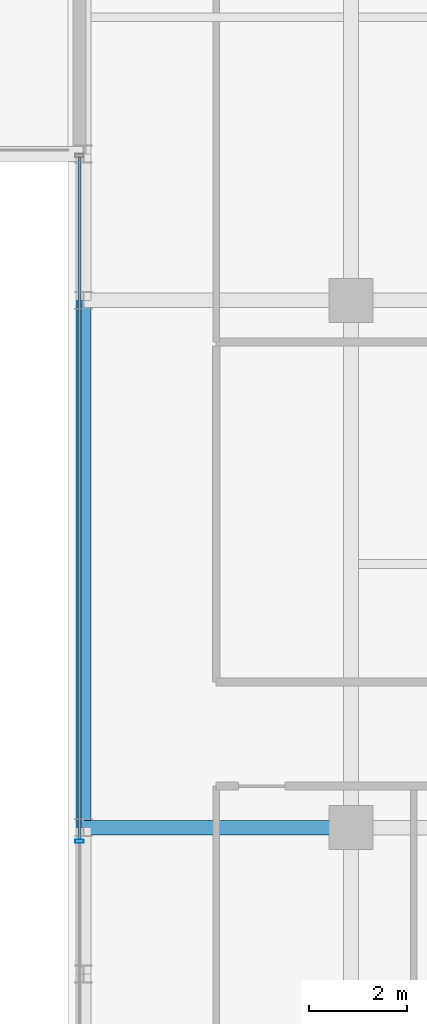
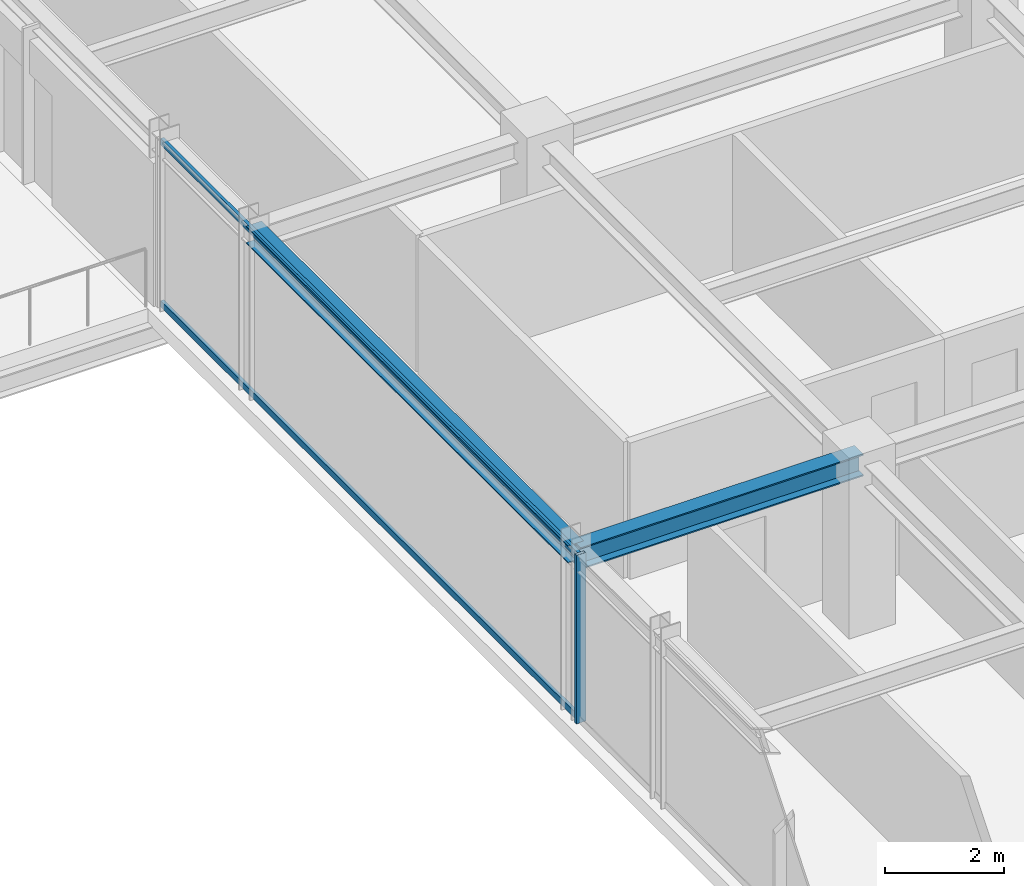
# One storey, part 8 of 36: 3 members, 2 beams, 1 element without a shape of its own.
"""IFC4 building model written with IfcOpenShell, lengths in metres."""

from ifc_helpers import new_model, si_unit, direction, frame, origin, origin_2d, place, context, subcontext, project, spatial, hollow_rectangle, i_section, extrude, source, transform, mapped, material, material_profile, profile_set, type_object, element, aggregate, save


model = new_model("IFC4")

# Units and contexts
model_context = context("Model", 3, precision=1e-05, world=origin(), true_north=direction((0.0, 1.0)))
body_context = subcontext(model_context, "Body", "Model", "MODEL_VIEW")
ifc_project = project(units=[si_unit("LENGTHUNIT", "METRE"), si_unit("AREAUNIT", "SQUARE_METRE"), si_unit("VOLUMEUNIT", "CUBIC_METRE"), si_unit("PLANEANGLEUNIT", "RADIAN"), si_unit("MASSUNIT", "GRAM", prefix="KILO")], contexts=[model_context])

# Site, building, storey
site_placement = place(None, origin())
site = spatial("IfcSite", under=ifc_project, at=site_placement, CompositionType="ELEMENT")
building_placement = place(site_placement, origin())
building = spatial("IfcBuilding", under=site, at=building_placement, Name="Nahalor Promenade Grand Hotel", CompositionType="ELEMENT")
storey_placement = place(building_placement, frame((0.0, 0.0, 273.800048828125)))
storey = spatial("IfcBuildingStorey", under=building, at=storey_placement, Name="L70", CompositionType="ELEMENT", Elevation=273.800048828125)

# Beams
ifc_material_1 = material(Name="Steel S355JR", Category="steel")
ifc_material_profile_1 = material_profile(ifc_material_1, i_section(OverallWidth=0.3, OverallDepth=0.45, WebThickness=0.014, FlangeThickness=0.026, at=origin_2d()), Name="HEB 450")
ifc_profile_set_1 = profile_set([ifc_material_profile_1], Name="Steel S355JR")
beam_type_1 = type_object("IfcBeamType", Name="Beam-Girder-HEB450", PredefinedType="BEAM", material=ifc_profile_set_1)
shared_shape_1 = source(origin(), body_context, "Body", "SweptSolid", [
    extrude(i_section(OverallWidth=0.3, OverallDepth=0.45, WebThickness=0.014, FlangeThickness=0.026, at=origin_2d()), origin(), (0.0, 0.0, 1.0), 5.47998046875),
])
beam_1_placement = place(storey_placement, frame((-22.47998046875, -5.39990234375, 3.224853515625), z_axis=(1.0, 0.0, 0.0), x_axis=(0.0, 1.0, 0.0)))
element("IfcBeam", 1, at=beam_1_placement, inside=storey, type_object=beam_type_1, Name="BM-L70-GX-1-0", PredefinedType="BEAM", context=body_context, shape_type="MappedRepresentation", body=[
    mapped(shared_shape_1, transform((0.0, 0.0, 0.0), scale=1.0)),
])
ifc_material_profile_2 = material_profile(ifc_material_1, i_section(OverallWidth=0.3, OverallDepth=0.36, WebThickness=0.0125, FlangeThickness=0.0225, at=origin_2d()), Name="HEB 360")
ifc_profile_set_2 = profile_set([ifc_material_profile_2], Name="Steel S355JR")
beam_type_2 = type_object("IfcBeamType", Name="Beam-Spandrel-HEB360", PredefinedType="SPANDREL", material=ifc_profile_set_2)
shared_shape_2 = source(origin(), body_context, "Body", "SweptSolid", [
    extrude(i_section(OverallWidth=0.3, OverallDepth=0.36, WebThickness=0.0125, FlangeThickness=0.0225, at=origin_2d()), origin(), (0.0, 0.0, 1.0), 10.7998046875),
])
beam_2_placement = place(storey_placement, frame((-22.47998046875, -5.39990234375, 3.27001953125), z_axis=(0.0, 1.0, 0.0), x_axis=(-1.0, 0.0, 0.0)))
element("IfcBeam", 2, at=beam_2_placement, inside=storey, type_object=beam_type_2, Name="BM-L70-SP-W-2", PredefinedType="SPANDREL", context=body_context, shape_type="MappedRepresentation", body=[
    mapped(shared_shape_2, transform((0.0, 0.0, 0.0), scale=1.0)),
])

# Curtain wall, members
ifc_material_2 = material(Name="Anodised Bronze Aluminium EN AW-6063 T6", Category="aluminium")
curtain_wall_type = type_object("IfcCurtainWallType", Name="CW2 Typical Hotel Flush Bronze Unitised Curtain Wall", PredefinedType="USERDEFINED", material=ifc_material_2)
curtain_wall_placement = place(storey_placement, origin())
curtain_wall = element("IfcCurtainWall", 3, at=curtain_wall_placement, inside=storey, type_object=curtain_wall_type, Name="L70 Curtain Wall CW-L70-W-1", ObjectType="UNITISED_CURTAIN_WALL", PredefinedType="USERDEFINED")
ifc_material_profile_3 = material_profile(ifc_material_2, hollow_rectangle(XDim=0.065, YDim=0.13, WallThickness=0.004, at=origin_2d()), Name="CWT 65x130x4")
ifc_profile_set_3 = profile_set([ifc_material_profile_3], Name="Anodised Bronze Aluminium EN AW-6063 T6")
member_type_1 = type_object("IfcMemberType", Name="CWT2 Typical Bronze Transom 65x130", PredefinedType="USERDEFINED", material=ifc_profile_set_3)
shared_shape_3 = source(origin(), body_context, "Body", "SweptSolid", [
    extrude(hollow_rectangle(XDim=0.065, YDim=0.13, WallThickness=0.004, at=origin_2d()), origin(), (0.0, 0.0, 1.0), 13.982421875),
])
member_1_placement = place(storey_placement, frame((-22.56005859375, -5.6474609375, 0.06494140625), z_axis=(0.0, 1.0, 0.0), x_axis=(-1.0, 0.0, 0.0)))
member_1 = element("IfcMember", 4, at=member_1_placement, type_object=member_type_1, Name="CW-L70-W-1 Transom 1-0", ObjectType="TRANSOM", PredefinedType="USERDEFINED", context=body_context, shape_type="MappedRepresentation", body=[
    mapped(shared_shape_3, transform((0.0, 0.0, 0.0), scale=1.0)),
])
member_2_placement = place(storey_placement, frame((-22.56005859375, -5.6474609375, 3.385009765625), z_axis=(0.0, 1.0, 0.0), x_axis=(-1.0, 0.0, 0.0)))
member_2 = element("IfcMember", 5, at=member_2_placement, type_object=member_type_1, Name="CW-L70-W-1 Transom 1-1", ObjectType="TRANSOM", PredefinedType="USERDEFINED", context=body_context, shape_type="MappedRepresentation", body=[
    mapped(shared_shape_3, transform((0.0, 0.0, 0.0), scale=1.0)),
])
ifc_material_profile_4 = material_profile(ifc_material_2, hollow_rectangle(XDim=0.065, YDim=0.18, WallThickness=0.004, at=origin_2d()), Name="CWM 65x180x4")
ifc_profile_set_4 = profile_set([ifc_material_profile_4], Name="Anodised Bronze Aluminium EN AW-6063 T6")
member_type_2 = type_object("IfcMemberType", Name="CWM2 Typical Bronze Mullion 65x180", PredefinedType="MULLION", material=ifc_profile_set_4)
shared_shape_4 = source(origin(), body_context, "Body", "SweptSolid", [
    extrude(hollow_rectangle(XDim=0.065, YDim=0.18, WallThickness=0.004, at=origin_2d()), origin(), (0.0, 0.0, 1.0), 3.449951171875),
])
member_3_placement = place(storey_placement, frame((-22.56005859375, -5.679931640625, 0.0), z_axis=(0.0, 0.0, 1.0), x_axis=(0.0, 1.0, 0.0)))
member_3 = element("IfcMember", 6, at=member_3_placement, type_object=member_type_2, Name="CW-L70-W-1 Mullion 1", PredefinedType="MULLION", context=body_context, shape_type="MappedRepresentation", body=[
    mapped(shared_shape_4, transform((0.0, 0.0, 0.0), scale=1.0)),
])
aggregate(curtain_wall, [member_3, member_1, member_2])

save(model, "model.ifc")
